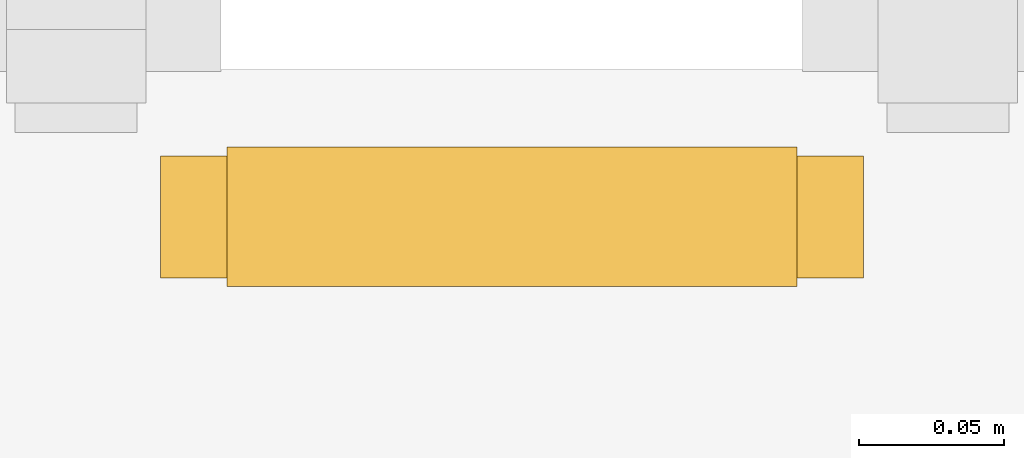
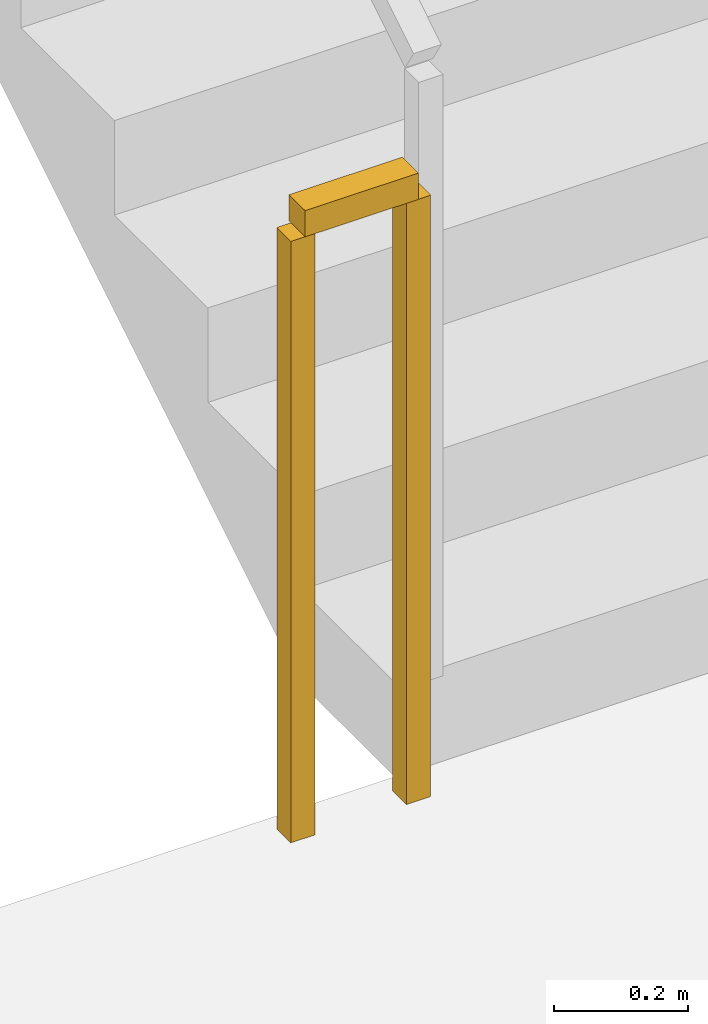
# One storey, part 30 of 33: 1 railing.
"""IFC4 building model written with IfcOpenShell, lengths in metres."""

from ifc_helpers import new_model, si_unit, direction, frame, origin, origin_2d, place, context, subcontext, project, spatial, rectangle, extrude, material, type_object, element, save


model = new_model("IFC4")

# Units and contexts
model_context = context("Model", 3, precision=1e-05, world=origin(), true_north=direction((0.0, 1.0)))
body_context = subcontext(model_context, "Body", "Model", "MODEL_VIEW")
ifc_project = project(units=[si_unit("LENGTHUNIT", "METRE"), si_unit("AREAUNIT", "SQUARE_METRE"), si_unit("VOLUMEUNIT", "CUBIC_METRE"), si_unit("PLANEANGLEUNIT", "RADIAN"), si_unit("MASSUNIT", "GRAM", prefix="KILO")], contexts=[model_context])

# Site, building, storey
site_placement = place(None, origin())
site = spatial("IfcSite", under=ifc_project, at=site_placement, CompositionType="ELEMENT")
building_placement = place(site_placement, origin())
building = spatial("IfcBuilding", under=site, at=building_placement, Name="Zuhravey Tower", CompositionType="ELEMENT")
storey_placement = place(building_placement, frame((0.0, 0.0, 96.199951171875)))
storey = spatial("IfcBuildingStorey", under=building, at=storey_placement, Name="L23", CompositionType="ELEMENT", Elevation=96.199951171875)

# Railing
ifc_material = material(Name="Painted tubular steel", Category="steel")
railing_type = type_object("IfcRailingType", Name="Stair Well Guardrail 1150", PredefinedType="GUARDRAIL", material=ifc_material)
railing_placement = place(storey_placement, frame((28.0, 33.14990234375, 0.0)))
element("IfcRailing", 1, at=railing_placement, inside=storey, type_object=railing_type, Name="L23 ST1 stair guard 4", PredefinedType="GUARDRAIL", context=body_context, shape_type="SweptSolid", body=[
    extrude(rectangle(XDim=0.048095703125, YDim=0.048095703125, at=origin_2d()), frame((-0.001953125, 0.0, 1.1259765625), z_axis=(-1.0, 0.0, 0.0), x_axis=(0.0, -1.0, 0.0)), (0.0, 0.0, 1.0), 0.196044921875),
    extrude(rectangle(XDim=0.0419921875, YDim=0.0419921875, at=origin_2d()), origin(), (0.0, 0.0, 1.0), 1.099853515625),
    extrude(rectangle(XDim=0.0419921875, YDim=0.0419921875, at=origin_2d()), frame((-0.199951171875, 0.0, 0.0)), (0.0, 0.0, 1.0), 1.099853515625),
])

save(model, "model.ifc")
